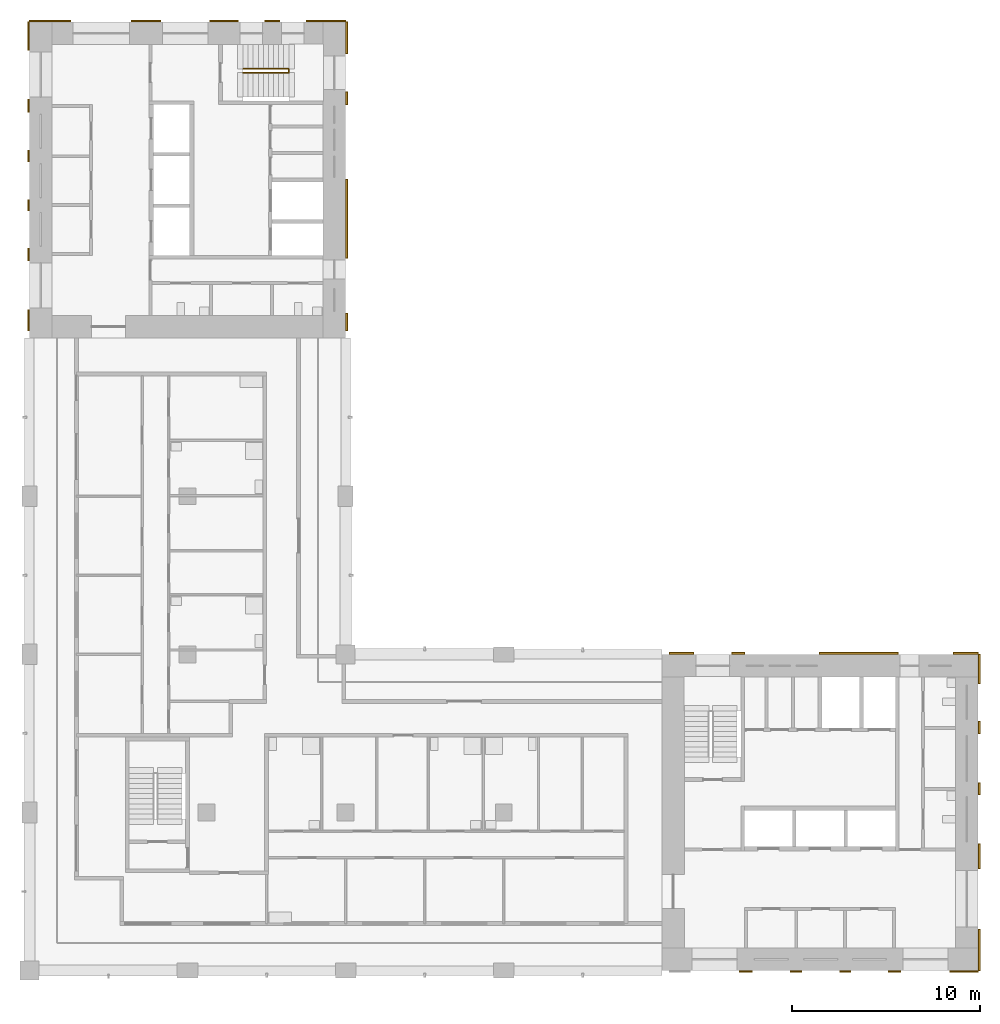
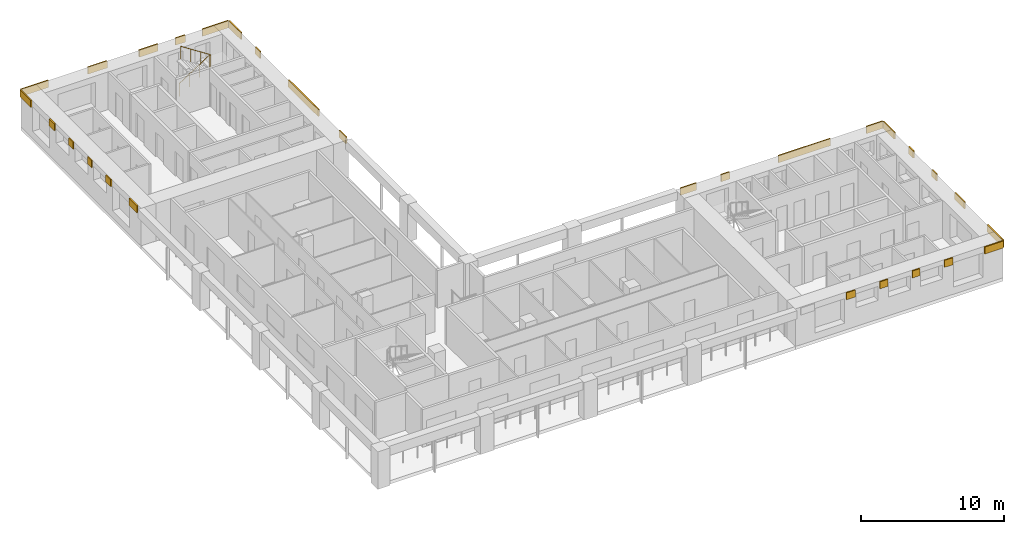
# One storey, part 9 of 10: 29 shading devices, 1 railing.
"""IFC4 building model written with IfcOpenShell, lengths in metres."""

import ifcopenshell
import ifcopenshell.guid

model = None  # the IFC model being written
_history = None  # IfcOwnerHistory: only IFC2X3 demands one
_inside = {}  # id of a spatial element -> (the spatial element, [elements in it])
_under = {}  # id of a project, library or spatial element -> (it, [spatial elements below it])
_declared = {}  # id of a project -> (the project, [libraries it declares])
_typed = {}  # id of a type object -> (the type object, [elements of that type])
_made_of = {}  # id of a material, layer set ... -> (it, [elements and type objects made of it])


def new_model(schema):
    """Start an empty IFC model of exactly this schema.

    Asked for "IFC4X3", IfcOpenShell would pick the latest addendum, in which some entities
    have other attributes; the version numbers below select the first issue.
    IFC2X3 requires an IfcOwnerHistory on every rooted entity: one is made here for all.
    """
    global model, _history
    if schema == "IFC4X3":
        model = ifcopenshell.file(schema_version=(4, 3, 0, 0))
    else:
        model = ifcopenshell.file(schema=schema)
    _inside.clear()
    _under.clear()
    _declared.clear()
    _typed.clear()
    _made_of.clear()
    _history = None
    if model.schema == "IFC2X3":
        org = make("IfcOrganization", Name="unknown")
        user = make(
            "IfcPersonAndOrganization",
            ThePerson=make("IfcPerson", FamilyName="unknown"),
            TheOrganization=org,
        )
        app = make(
            "IfcApplication",
            ApplicationDeveloper=org,
            Version="unknown",
            ApplicationFullName="unknown",
            ApplicationIdentifier="unknown",
        )
        _history = make(
            "IfcOwnerHistory",
            OwningUser=user,
            OwningApplication=app,
            ChangeAction="ADDED",
            CreationDate=0,
        )
    return model


def make(cls, **values):
    """One entity of the class cls with the attributes given. An attribute that is None is left unset."""
    return model.create_entity(
        cls, **{name: value for name, value in values.items() if value is not None}
    )


def rooted(cls, **values):
    """An entity with a GlobalId (a new one), such as an element, a storey or a relation."""
    return make(cls, GlobalId=ifcopenshell.guid.new(), OwnerHistory=_history, **values)


def si_unit(unit_type, name, prefix=None):
    """IfcSIUnit, for example si_unit("LENGTHUNIT", "METRE", prefix="MILLI")."""
    return make("IfcSIUnit", UnitType=unit_type, Prefix=prefix, Name=name)


def assignment(units):
    """IfcUnitAssignment: the units of a project."""
    return None if units is None else make("IfcUnitAssignment", Units=units)


def point(xyz):
    """IfcCartesianPoint."""
    return None if xyz is None else make("IfcCartesianPoint", Coordinates=xyz)


def direction(xyz):
    """IfcDirection."""
    return None if xyz is None else make("IfcDirection", DirectionRatios=xyz)


def frame(location, z_axis=None, x_axis=None):
    """IfcAxis2Placement3D, a coordinate frame: its origin and axes. An axis left out is left unset."""
    return make(
        "IfcAxis2Placement3D",
        Location=point(location),
        Axis=direction(z_axis),
        RefDirection=direction(x_axis),
    )


def frame_2d(location, x_axis=None):
    """IfcAxis2Placement2D, a coordinate frame in the plane: its origin and x axis."""
    return make(
        "IfcAxis2Placement2D", Location=point(location), RefDirection=direction(x_axis)
    )


def origin():
    """The frame at (0, 0, 0) with its axes left unset."""
    return frame((0.0, 0.0, 0.0))


def origin_2d():
    """The frame at (0, 0) in the plane with its x axis left unset."""
    return frame_2d((0.0, 0.0))


def place(relative_to, where):
    """IfcLocalPlacement: puts the frame where relative to a parent placement (None: the world)."""
    return make(
        "IfcLocalPlacement", PlacementRelTo=relative_to, RelativePlacement=where
    )


def context(
    kind, dimensions, precision=None, world=None, true_north=None, identifier=None
):
    """IfcGeometricRepresentationContext, for example the 3D "Model" context."""
    return make(
        "IfcGeometricRepresentationContext",
        ContextIdentifier=identifier,
        ContextType=kind,
        CoordinateSpaceDimension=dimensions,
        Precision=precision,
        WorldCoordinateSystem=world,
        TrueNorth=true_north,
    )


def subcontext(parent, identifier, kind, view, scale=None):
    """IfcGeometricRepresentationSubContext, for example "Body" below "Model"."""
    return make(
        "IfcGeometricRepresentationSubContext",
        ContextIdentifier=identifier,
        ContextType=kind,
        ParentContext=parent,
        TargetScale=scale,
        TargetView=view,
    )


def project(units=None, contexts=None):
    """IfcProject with its units and contexts."""
    return rooted(
        "IfcProject",
        Name="project",
        RepresentationContexts=contexts,
        UnitsInContext=assignment(units),
    )


def spatial(cls, under=None, at=None, **own):
    """A site, building, storey or space (cls), placed at a placement, below another one or the project."""
    s = rooted(cls, ObjectPlacement=at, **own)
    if under is not None:
        _under.setdefault(under.id(), (under, []))[1].append(s)
    return s


def profile(cls, at=None, kind="AREA", **sizes):
    """A parametric profile (cls). Its sizes go by their IFC names, for example OverallWidth=200.0."""
    return make(cls, ProfileType=kind, Position=at, **sizes)


def rectangle(**sizes):
    """IfcRectangleProfileDef."""
    return profile("IfcRectangleProfileDef", **sizes)


def circle(**sizes):
    """IfcCircleProfileDef."""
    return profile("IfcCircleProfileDef", **sizes)


def extrude(swept, where, along, depth):
    """IfcExtrudedAreaSolid: the profile swept, set in the frame where, extruded along a direction by depth."""
    return make(
        "IfcExtrudedAreaSolid",
        SweptArea=swept,
        Position=where,
        ExtrudedDirection=direction(along),
        Depth=depth,
    )


def shape(context_of_items, identifier, shape_type, items):
    """IfcShapeRepresentation: the items that make up one representation, for example the "Body"."""
    return make(
        "IfcShapeRepresentation",
        ContextOfItems=context_of_items,
        RepresentationIdentifier=identifier,
        RepresentationType=shape_type,
        Items=items,
    )


def material(Name=None, Category=None):
    """IfcMaterial."""
    return make("IfcMaterial", Name=Name, Category=Category)


def layer(
    of_material, thickness, ventilated=None, Name=None, Category=None, Priority=None
):
    """IfcMaterialLayer: one layer of a wall or slab, of a material (None: an air gap)."""
    return make(
        "IfcMaterialLayer",
        Material=of_material,
        LayerThickness=thickness,
        IsVentilated=ventilated,
        Name=Name,
        Category=Category,
        Priority=Priority,
    )


def layer_set(layers, Name=None):
    """IfcMaterialLayerSet."""
    return make("IfcMaterialLayerSet", MaterialLayers=layers, LayerSetName=Name)


def made_of(thing, what):
    """Note that an element or type object is made of a material, layer set ...; save() writes the relation."""
    if what is not None:
        _made_of.setdefault(what.id(), (what, []))[1].append(thing)
    return thing


def type_object(cls, material=None, **own):
    """A type object (cls), such as IfcWallType, which elements share."""
    return made_of(rooted(cls, **own), material)


def element(
    cls,
    number,
    at=None,
    inside=None,
    cuts=None,
    type_object=None,
    material=None,
    context=None,
    identifier="Body",
    shape_type=None,
    held_by="IfcProductDefinitionShape",
    body=None,
    shapes=None,
    **own,
):
    """One element of the class cls, such as IfcWall. Its Tag is "e" and its number.

    at: its placement. inside: the storey or other place that contains it. cuts: it is an
    opening in that element (IfcRelVoidsElement). A single representation is given by context,
    identifier, shape_type and body (its items); several are given by shapes. held_by: the class
    of the entity that holds the representations. save() writes the other relations.
    """
    e = rooted(cls, Tag="e%d" % number, ObjectPlacement=at, **own)
    if body is not None:
        shapes = [shape(context, identifier, shape_type, body)]
    if shapes is not None:
        e.Representation = make(held_by, Representations=shapes)
    if inside is not None:
        _inside.setdefault(inside.id(), (inside, []))[1].append(e)
    if cuts is not None:
        rooted(
            "IfcRelVoidsElement", RelatingBuildingElement=cuts, RelatedOpeningElement=e
        )
    if type_object is not None:
        _typed.setdefault(type_object.id(), (type_object, []))[1].append(e)
    return made_of(e, material)


def aggregate(whole, parts):
    """IfcRelAggregates: a whole, such as a stair, and the parts it consists of."""
    return rooted("IfcRelAggregates", RelatingObject=whole, RelatedObjects=parts)


def save(model, path):
    """Write the relations noted so far, then the file.

    IfcRelAggregates (storeys below a building ...), IfcRelContainedInSpatialStructure (elements
    in a storey), IfcRelDefinesByType, IfcRelAssociatesMaterial and IfcRelDeclares: one each for
    every whole, place, type object, material and project.
    """
    for whole, parts in _under.values():
        aggregate(whole, parts)
    for where, things in _inside.values():
        rooted(
            "IfcRelContainedInSpatialStructure",
            RelatedElements=things,
            RelatingStructure=where,
        )
    for kind, things in _typed.values():
        rooted("IfcRelDefinesByType", RelatedObjects=things, RelatingType=kind)
    for what, things in _made_of.values():
        rooted("IfcRelAssociatesMaterial", RelatedObjects=things, RelatingMaterial=what)
    for by, libraries in _declared.values():
        rooted("IfcRelDeclares", RelatingContext=by, RelatedDefinitions=libraries)
    model.write(path)


model = new_model("IFC4")

# Units and contexts
model_context = context("Model", 3, precision=1e-05, world=origin(), true_north=direction((0.0, 1.0)))
body_context = subcontext(model_context, "Body", "Model", "MODEL_VIEW")
ifc_project = project(units=[si_unit("LENGTHUNIT", "METRE"), si_unit("AREAUNIT", "SQUARE_METRE"), si_unit("VOLUMEUNIT", "CUBIC_METRE"), si_unit("PLANEANGLEUNIT", "RADIAN"), si_unit("MASSUNIT", "GRAM", prefix="KILO")], contexts=[model_context])

# Site, building, storey
site_placement = place(None, origin())
site = spatial("IfcSite", under=ifc_project, at=site_placement, CompositionType="ELEMENT")
building_placement = place(site_placement, origin())
building = spatial("IfcBuilding", under=site, at=building_placement, Name="Vermilion Gate Residences", CompositionType="ELEMENT")
storey_placement = place(building_placement, frame((0.0, 0.0, 270.199951171875)))
storey = spatial("IfcBuildingStorey", under=building, at=storey_placement, Name="L71", CompositionType="ELEMENT", Elevation=270.199951171875)

# Railing
ifc_material_1 = material(Name="Steel S355", Category="steel")
railing_type = type_object("IfcRailingType", Name="STAIR GUARD 1100 STEEL", PredefinedType="GUARDRAIL", material=ifc_material_1)
railing_placement = place(storey_placement, frame((19.75, 56.300048828125, 0.175048828125)))
element("IfcRailing", 1, at=railing_placement, inside=storey, type_object=railing_type, Name="Stair well guard STB1-71", PredefinedType="GUARDRAIL", context=body_context, shape_type="SweptSolid", body=[
    extrude(circle(Radius=0.02392578125, at=origin_2d()), frame((0.0, 0.0, 1.076171875), z_axis=(0.839153699163, 0.0, 0.543894354798), x_axis=(0.0, 1.0, 0.0)), (0.0, 0.0, 1.0), 2.895751953125),
    extrude(circle(Radius=0.02392578125, at=origin_2d()), frame((2.429931640625, 0.0, 2.65087890625), z_axis=(0.0, -0.752405939678, 0.658699705433), x_axis=(1.0, 0.0, 0.0)), (0.0, 0.0, 1.0), 0.265869140625),
    extrude(circle(Radius=0.02392578125, at=origin_2d()), frame((2.429931640625, -0.199951171875, 2.826171875), z_axis=(-0.839153699163, 0.0, 0.543894354798), x_axis=(0.0, -1.0, 0.0)), (0.0, 0.0, 1.0), 2.895751953125),
    extrude(circle(Radius=0.02099609375, at=origin_2d()), origin(), (0.0, 0.0, 1.0), 1.052001953125),
    extrude(circle(Radius=0.02099609375, at=origin_2d()), frame((0.81005859375, 0.0, 0.52490234375)), (0.0, 0.0, 1.0), 1.052001953125),
    extrude(circle(Radius=0.02099609375, at=origin_2d()), frame((1.619873046875, 0.0, 1.050048828125)), (0.0, 0.0, 1.0), 1.052001953125),
    extrude(circle(Radius=0.02099609375, at=origin_2d()), frame((2.429931640625, 0.0, 1.574951171875)), (0.0, 0.0, 1.0), 1.052001953125),
    extrude(circle(Radius=0.02099609375, at=origin_2d()), frame((2.429931640625, -0.199951171875, 1.75)), (0.0, 0.0, 1.0), 1.052001953125),
    extrude(circle(Radius=0.02099609375, at=origin_2d()), frame((1.619873046875, -0.199951171875, 2.27490234375)), (0.0, 0.0, 1.0), 1.052001953125),
    extrude(circle(Radius=0.02099609375, at=origin_2d()), frame((0.81005859375, -0.199951171875, 2.800048828125)), (0.0, 0.0, 1.0), 1.052001953125),
    extrude(circle(Radius=0.02099609375, at=origin_2d()), frame((0.0, -0.199951171875, 3.324951171875)), (0.0, 0.0, 1.0), 1.052001953125),
])

# Shading devices
ifc_material_2 = material(Name="Extruded terracotta", Category="masonry")
ifc_layer = layer(ifc_material_2, 0.10009765625)
ifc_layer_set = layer_set([ifc_layer], Name="TERRACOTTA SPANDREL BAND 600 X 100")
shading_device_type = type_object("IfcShadingDeviceType", Name="TERRACOTTA SPANDREL BAND 600 X 100", PredefinedType="USERDEFINED", material=ifc_layer_set)
shading_device_1_placement = place(storey_placement, frame((46.4541015625, 8.35009765625, 2.6201171875), z_axis=(0.0, 0.0, 1.0), x_axis=(1.0, 0.0, 0.0)))
element("IfcShadingDevice", 2, at=shading_device_1_placement, inside=storey, type_object=shading_device_type, Name="SPANDREL BAND", ObjectType="BAND", PredefinedType="USERDEFINED", context=body_context, shape_type="SweptSolid", body=[
    extrude(rectangle(XDim=0.7080078125, YDim=0.10009765625, at=origin_2d()), origin(), (0.0, 0.0, 1.0), 0.60009765625),
])
shading_device_2_placement = place(storey_placement, frame((49.12255859375, 8.35009765625, 2.6201171875), z_axis=(0.0, 0.0, 1.0), x_axis=(1.0, 0.0, 0.0)))
element("IfcShadingDevice", 3, at=shading_device_2_placement, inside=storey, type_object=shading_device_type, Name="SPANDREL BAND", ObjectType="BAND", PredefinedType="USERDEFINED", context=body_context, shape_type="SweptSolid", body=[
    extrude(rectangle(XDim=0.62890625, YDim=0.10009765625, at=origin_2d()), origin(), (0.0, 0.0, 1.0), 0.60009765625),
])
shading_device_3_placement = place(storey_placement, frame((51.73291015625, 8.35009765625, 2.6201171875), z_axis=(0.0, 0.0, 1.0), x_axis=(1.0, 0.0, 0.0)))
element("IfcShadingDevice", 4, at=shading_device_3_placement, inside=storey, type_object=shading_device_type, Name="SPANDREL BAND", ObjectType="BAND", PredefinedType="USERDEFINED", context=body_context, shape_type="SweptSolid", body=[
    extrude(rectangle(XDim=0.592041015625, YDim=0.10009765625, at=origin_2d()), origin(), (0.0, 0.0, 1.0), 0.60009765625),
])
shading_device_4_placement = place(storey_placement, frame((54.364501953125, 8.35009765625, 2.6201171875), z_axis=(0.0, 0.0, 1.0), x_axis=(1.0, 0.0, 0.0)))
element("IfcShadingDevice", 5, at=shading_device_4_placement, inside=storey, type_object=shading_device_type, Name="SPANDREL BAND", ObjectType="BAND", PredefinedType="USERDEFINED", context=body_context, shape_type="SweptSolid", body=[
    extrude(rectangle(XDim=0.6708984375, YDim=0.10009765625, at=origin_2d()), origin(), (0.0, 0.0, 1.0), 0.60009765625),
])
shading_device_5_placement = place(storey_placement, frame((58.050048828125, 8.35009765625, 2.6201171875), z_axis=(0.0, 0.0, 1.0), x_axis=(1.0, 0.0, 0.0)))
element("IfcShadingDevice", 6, at=shading_device_5_placement, inside=storey, type_object=shading_device_type, Name="SPANDREL BAND", ObjectType="BAND", PredefinedType="USERDEFINED", context=body_context, shape_type="SweptSolid", body=[
    extrude(rectangle(XDim=1.5, YDim=0.10009765625, at=origin_2d()), origin(), (0.0, 0.0, 1.0), 0.60009765625),
])
shading_device_6_placement = place(storey_placement, frame((43.050048828125, 25.25, 2.6201171875), z_axis=(0.0, 0.0, 1.0), x_axis=(1.0, 0.0, 0.0)))
element("IfcShadingDevice", 7, at=shading_device_6_placement, inside=storey, type_object=shading_device_type, Name="SPANDREL BAND", ObjectType="BAND", PredefinedType="USERDEFINED", context=body_context, shape_type="SweptSolid", body=[
    extrude(rectangle(XDim=1.300048828125, YDim=0.10009765625, at=origin_2d()), origin(), (0.0, 0.0, 1.0), 0.60009765625),
])
shading_device_7_placement = place(storey_placement, frame((46.044921875, 25.25, 2.6201171875), z_axis=(0.0, 0.0, 1.0), x_axis=(1.0, 0.0, 0.0)))
element("IfcShadingDevice", 8, at=shading_device_7_placement, inside=storey, type_object=shading_device_type, Name="SPANDREL BAND", ObjectType="BAND", PredefinedType="USERDEFINED", context=body_context, shape_type="SweptSolid", body=[
    extrude(rectangle(XDim=0.68994140625, YDim=0.10009765625, at=origin_2d()), origin(), (0.0, 0.0, 1.0), 0.60009765625),
])
shading_device_8_placement = place(storey_placement, frame((52.449951171875, 25.25, 2.6201171875), z_axis=(0.0, 0.0, 1.0), x_axis=(1.0, 0.0, 0.0)))
element("IfcShadingDevice", 9, at=shading_device_8_placement, inside=storey, type_object=shading_device_type, Name="SPANDREL BAND", ObjectType="BAND", PredefinedType="USERDEFINED", context=body_context, shape_type="SweptSolid", body=[
    extrude(rectangle(XDim=4.199951171875, YDim=0.10009765625, at=origin_2d()), origin(), (0.0, 0.0, 1.0), 0.60009765625),
])
shading_device_9_placement = place(storey_placement, frame((58.137451171875, 25.25, 2.6201171875), z_axis=(0.0, 0.0, 1.0), x_axis=(1.0, 0.0, 0.0)))
element("IfcShadingDevice", 10, at=shading_device_9_placement, inside=storey, type_object=shading_device_type, Name="SPANDREL BAND", ObjectType="BAND", PredefinedType="USERDEFINED", context=body_context, shape_type="SweptSolid", body=[
    extrude(rectangle(XDim=1.324951171875, YDim=0.10009765625, at=origin_2d()), origin(), (0.0, 0.0, 1.0), 0.60009765625),
])
shading_device_10_placement = place(storey_placement, frame((58.85009765625, 9.50244140625, 2.6201171875), z_axis=(0.0, 0.0, 1.0), x_axis=(0.0, 1.0, 0.0)))
element("IfcShadingDevice", 11, at=shading_device_10_placement, inside=storey, type_object=shading_device_type, Name="SPANDREL BAND", ObjectType="BAND", PredefinedType="USERDEFINED", context=body_context, shape_type="SweptSolid", body=[
    extrude(rectangle(XDim=2.205078125, YDim=0.10009765625, at=origin_2d()), origin(), (0.0, 0.0, 1.0), 0.60009765625),
])
shading_device_11_placement = place(storey_placement, frame((58.85009765625, 14.472412109375, 2.6201171875), z_axis=(0.0, 0.0, 1.0), x_axis=(0.0, 1.0, 0.0)))
element("IfcShadingDevice", 12, at=shading_device_11_placement, inside=storey, type_object=shading_device_type, Name="SPANDREL BAND", ObjectType="BAND", PredefinedType="USERDEFINED", context=body_context, shape_type="SweptSolid", body=[
    extrude(rectangle(XDim=1.3349609375, YDim=0.10009765625, at=origin_2d()), origin(), (0.0, 0.0, 1.0), 0.60009765625),
])
shading_device_12_placement = place(storey_placement, frame((58.85009765625, 18.054931640625, 2.6201171875), z_axis=(0.0, 0.0, 1.0), x_axis=(0.0, 1.0, 0.0)))
element("IfcShadingDevice", 13, at=shading_device_12_placement, inside=storey, type_object=shading_device_type, Name="SPANDREL BAND", ObjectType="BAND", PredefinedType="USERDEFINED", context=body_context, shape_type="SweptSolid", body=[
    extrude(rectangle(XDim=0.6298828125, YDim=0.10009765625, at=origin_2d()), origin(), (0.0, 0.0, 1.0), 0.60009765625),
])
shading_device_13_placement = place(storey_placement, frame((58.85009765625, 21.31005859375, 2.6201171875), z_axis=(0.0, 0.0, 1.0), x_axis=(0.0, 1.0, 0.0)))
element("IfcShadingDevice", 14, at=shading_device_13_placement, inside=storey, type_object=shading_device_type, Name="SPANDREL BAND", ObjectType="BAND", PredefinedType="USERDEFINED", context=body_context, shape_type="SweptSolid", body=[
    extrude(rectangle(XDim=0.679931640625, YDim=0.10009765625, at=origin_2d()), origin(), (0.0, 0.0, 1.0), 0.60009765625),
])
shading_device_14_placement = place(storey_placement, frame((58.85009765625, 24.425048828125, 2.6201171875), z_axis=(0.0, 0.0, 1.0), x_axis=(0.0, 1.0, 0.0)))
element("IfcShadingDevice", 15, at=shading_device_14_placement, inside=storey, type_object=shading_device_type, Name="SPANDREL BAND", ObjectType="BAND", PredefinedType="USERDEFINED", context=body_context, shape_type="SweptSolid", body=[
    extrude(rectangle(XDim=1.550048828125, YDim=0.10009765625, at=origin_2d()), origin(), (0.0, 0.0, 1.0), 0.60009765625),
])
shading_device_15_placement = place(storey_placement, frame((9.50244140625, 58.85009765625, 2.6201171875), z_axis=(0.0, 0.0, 1.0), x_axis=(1.0, 0.0, 0.0)))
element("IfcShadingDevice", 16, at=shading_device_15_placement, inside=storey, type_object=shading_device_type, Name="SPANDREL BAND", ObjectType="BAND", PredefinedType="USERDEFINED", context=body_context, shape_type="SweptSolid", body=[
    extrude(rectangle(XDim=2.205078125, YDim=0.10009765625, at=origin_2d()), origin(), (0.0, 0.0, 1.0), 0.60009765625),
])
shading_device_16_placement = place(storey_placement, frame((14.590087890625, 58.85009765625, 2.6201171875), z_axis=(0.0, 0.0, 1.0), x_axis=(1.0, 0.0, 0.0)))
element("IfcShadingDevice", 17, at=shading_device_16_placement, inside=storey, type_object=shading_device_type, Name="SPANDREL BAND", ObjectType="BAND", PredefinedType="USERDEFINED", context=body_context, shape_type="SweptSolid", body=[
    extrude(rectangle(XDim=1.570068359375, YDim=0.10009765625, at=origin_2d()), origin(), (0.0, 0.0, 1.0), 0.60009765625),
])
shading_device_17_placement = place(storey_placement, frame((18.734130859375, 58.85009765625, 2.6201171875), z_axis=(0.0, 0.0, 1.0), x_axis=(1.0, 0.0, 0.0)))
element("IfcShadingDevice", 18, at=shading_device_17_placement, inside=storey, type_object=shading_device_type, Name="SPANDREL BAND", ObjectType="BAND", PredefinedType="USERDEFINED", context=body_context, shape_type="SweptSolid", body=[
    extrude(rectangle(XDim=1.518310546875, YDim=0.10009765625, at=origin_2d()), origin(), (0.0, 0.0, 1.0), 0.60009765625),
])
shading_device_18_placement = place(storey_placement, frame((21.294921875, 58.85009765625, 2.6201171875), z_axis=(0.0, 0.0, 1.0), x_axis=(1.0, 0.0, 0.0)))
element("IfcShadingDevice", 19, at=shading_device_18_placement, inside=storey, type_object=shading_device_type, Name="SPANDREL BAND", ObjectType="BAND", PredefinedType="USERDEFINED", context=body_context, shape_type="SweptSolid", body=[
    extrude(rectangle(XDim=0.803466796875, YDim=0.10009765625, at=origin_2d()), origin(), (0.0, 0.0, 1.0), 0.60009765625),
])
shading_device_19_placement = place(storey_placement, frame((24.1484375, 58.85009765625, 2.6201171875), z_axis=(0.0, 0.0, 1.0), x_axis=(1.0, 0.0, 0.0)))
element("IfcShadingDevice", 20, at=shading_device_19_placement, inside=storey, type_object=shading_device_type, Name="SPANDREL BAND", ObjectType="BAND", PredefinedType="USERDEFINED", context=body_context, shape_type="SweptSolid", body=[
    extrude(rectangle(XDim=2.103271484375, YDim=0.10009765625, at=origin_2d()), origin(), (0.0, 0.0, 1.0), 0.60009765625),
])
shading_device_20_placement = place(storey_placement, frame((8.35009765625, 42.949951171875, 2.6201171875), z_axis=(0.0, 0.0, 1.0), x_axis=(0.0, 1.0, 0.0)))
element("IfcShadingDevice", 21, at=shading_device_20_placement, inside=storey, type_object=shading_device_type, Name="SPANDREL BAND", ObjectType="BAND", PredefinedType="USERDEFINED", context=body_context, shape_type="SweptSolid", body=[
    extrude(rectangle(XDim=1.10009765625, YDim=0.10009765625, at=origin_2d()), origin(), (0.0, 0.0, 1.0), 0.60009765625),
])
shading_device_21_placement = place(storey_placement, frame((8.35009765625, 46.435546875, 2.6201171875), z_axis=(0.0, 0.0, 1.0), x_axis=(0.0, 1.0, 0.0)))
element("IfcShadingDevice", 22, at=shading_device_21_placement, inside=storey, type_object=shading_device_type, Name="SPANDREL BAND", ObjectType="BAND", PredefinedType="USERDEFINED", context=body_context, shape_type="SweptSolid", body=[
    extrude(rectangle(XDim=0.6708984375, YDim=0.10009765625, at=origin_2d()), origin(), (0.0, 0.0, 1.0), 0.60009765625),
])
shading_device_22_placement = place(storey_placement, frame((8.35009765625, 49.06689453125, 2.6201171875), z_axis=(0.0, 0.0, 1.0), x_axis=(0.0, 1.0, 0.0)))
element("IfcShadingDevice", 23, at=shading_device_22_placement, inside=storey, type_object=shading_device_type, Name="SPANDREL BAND", ObjectType="BAND", PredefinedType="USERDEFINED", context=body_context, shape_type="SweptSolid", body=[
    extrude(rectangle(XDim=0.592041015625, YDim=0.10009765625, at=origin_2d()), origin(), (0.0, 0.0, 1.0), 0.60009765625),
])
shading_device_23_placement = place(storey_placement, frame((8.35009765625, 51.677490234375, 2.6201171875), z_axis=(0.0, 0.0, 1.0), x_axis=(0.0, 1.0, 0.0)))
element("IfcShadingDevice", 24, at=shading_device_23_placement, inside=storey, type_object=shading_device_type, Name="SPANDREL BAND", ObjectType="BAND", PredefinedType="USERDEFINED", context=body_context, shape_type="SweptSolid", body=[
    extrude(rectangle(XDim=0.62890625, YDim=0.10009765625, at=origin_2d()), origin(), (0.0, 0.0, 1.0), 0.60009765625),
])
shading_device_24_placement = place(storey_placement, frame((8.35009765625, 54.345947265625, 2.6201171875), z_axis=(0.0, 0.0, 1.0), x_axis=(0.0, 1.0, 0.0)))
element("IfcShadingDevice", 25, at=shading_device_24_placement, inside=storey, type_object=shading_device_type, Name="SPANDREL BAND", ObjectType="BAND", PredefinedType="USERDEFINED", context=body_context, shape_type="SweptSolid", body=[
    extrude(rectangle(XDim=0.7080078125, YDim=0.10009765625, at=origin_2d()), origin(), (0.0, 0.0, 1.0), 0.60009765625),
])
shading_device_25_placement = place(storey_placement, frame((8.35009765625, 58.050048828125, 2.6201171875), z_axis=(0.0, 0.0, 1.0), x_axis=(0.0, 1.0, 0.0)))
element("IfcShadingDevice", 26, at=shading_device_25_placement, inside=storey, type_object=shading_device_type, Name="SPANDREL BAND", ObjectType="BAND", PredefinedType="USERDEFINED", context=body_context, shape_type="SweptSolid", body=[
    extrude(rectangle(XDim=1.5, YDim=0.10009765625, at=origin_2d()), origin(), (0.0, 0.0, 1.0), 0.60009765625),
])
shading_device_26_placement = place(storey_placement, frame((25.25, 42.862548828125, 2.6201171875), z_axis=(0.0, 0.0, 1.0), x_axis=(0.0, 1.0, 0.0)))
element("IfcShadingDevice", 27, at=shading_device_26_placement, inside=storey, type_object=shading_device_type, Name="SPANDREL BAND", ObjectType="BAND", PredefinedType="USERDEFINED", context=body_context, shape_type="SweptSolid", body=[
    extrude(rectangle(XDim=0.925048828125, YDim=0.10009765625, at=origin_2d()), origin(), (0.0, 0.0, 1.0), 0.60009765625),
])
shading_device_27_placement = place(storey_placement, frame((25.25, 48.35009765625, 2.6201171875), z_axis=(0.0, 0.0, 1.0), x_axis=(0.0, 1.0, 0.0)))
element("IfcShadingDevice", 28, at=shading_device_27_placement, inside=storey, type_object=shading_device_type, Name="SPANDREL BAND", ObjectType="BAND", PredefinedType="USERDEFINED", context=body_context, shape_type="SweptSolid", body=[
    extrude(rectangle(XDim=4.199951171875, YDim=0.10009765625, at=origin_2d()), origin(), (0.0, 0.0, 1.0), 0.60009765625),
])
shading_device_28_placement = place(storey_placement, frame((25.25, 54.7548828125, 2.6201171875), z_axis=(0.0, 0.0, 1.0), x_axis=(0.0, 1.0, 0.0)))
element("IfcShadingDevice", 29, at=shading_device_28_placement, inside=storey, type_object=shading_device_type, Name="SPANDREL BAND", ObjectType="BAND", PredefinedType="USERDEFINED", context=body_context, shape_type="SweptSolid", body=[
    extrude(rectangle(XDim=0.68994140625, YDim=0.10009765625, at=origin_2d()), origin(), (0.0, 0.0, 1.0), 0.60009765625),
])
shading_device_29_placement = place(storey_placement, frame((25.25, 57.949951171875, 2.6201171875), z_axis=(0.0, 0.0, 1.0), x_axis=(0.0, 1.0, 0.0)))
element("IfcShadingDevice", 30, at=shading_device_29_placement, inside=storey, type_object=shading_device_type, Name="SPANDREL BAND", ObjectType="BAND", PredefinedType="USERDEFINED", context=body_context, shape_type="SweptSolid", body=[
    extrude(rectangle(XDim=1.699951171875, YDim=0.10009765625, at=origin_2d()), origin(), (0.0, 0.0, 1.0), 0.60009765625),
])

save(model, "model.ifc")
